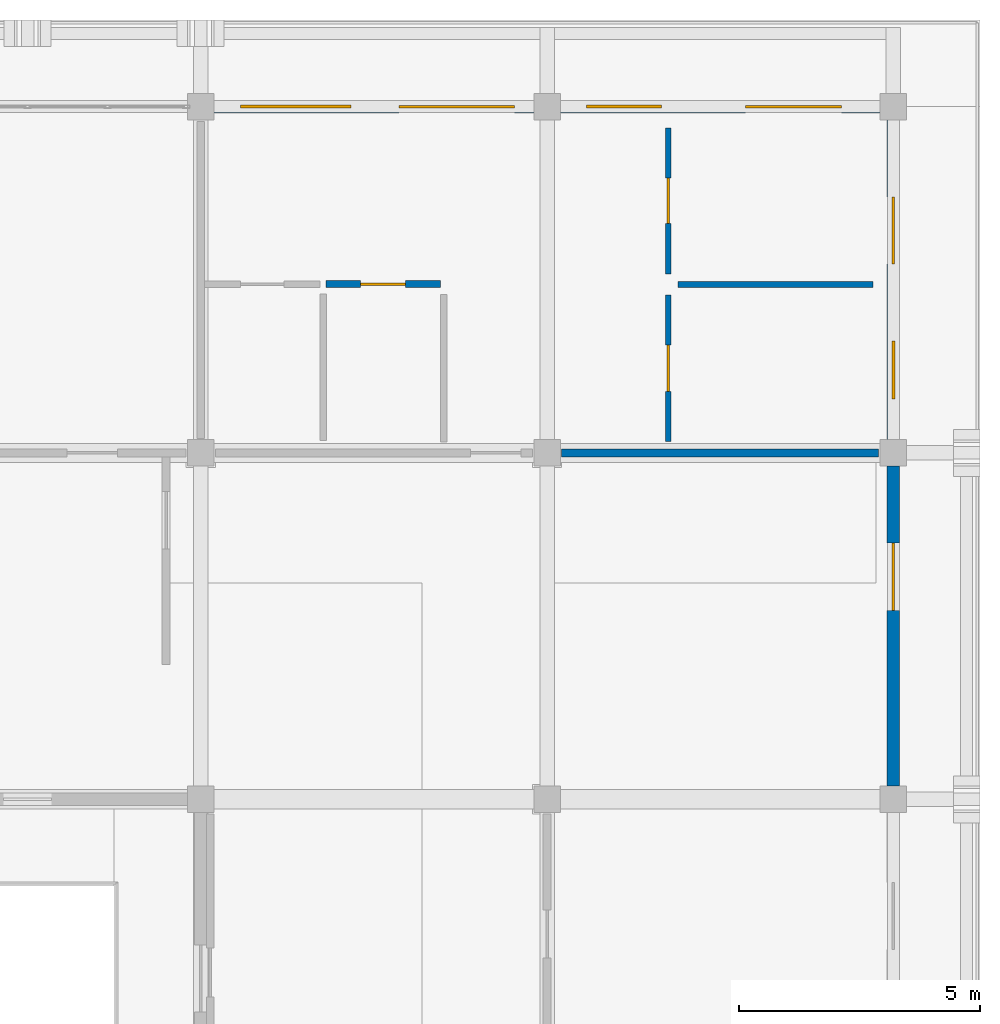
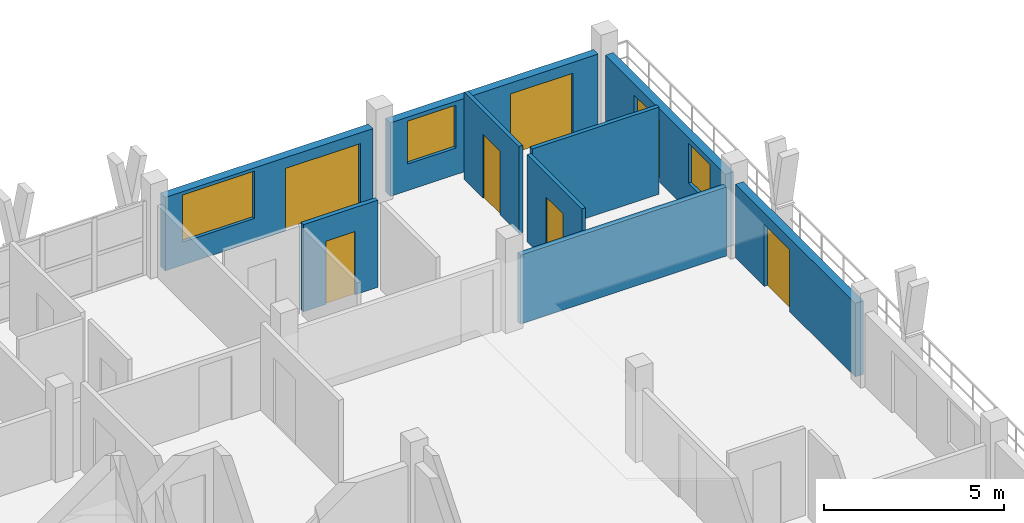
# One storey, part 52 of 65: 9 walls, 7 doors, 3 windows, 10 openings.
"""IFC4 building model written with IfcOpenShell, lengths in metres."""

from ifc_helpers import new_model, si_unit, direction, frame, frame_2d, origin, place, context, subcontext, project, spatial, rectangle, extrude, material, layer, layer_set, type_object, element, fill, save


model = new_model("IFC4")

# Units and contexts
model_context = context("Model", 3, precision=1e-05, world=origin(), true_north=direction((0.0, 1.0)))
body_context = subcontext(model_context, "Body", "Model", "MODEL_VIEW")
ifc_project = project(units=[si_unit("LENGTHUNIT", "METRE"), si_unit("AREAUNIT", "SQUARE_METRE"), si_unit("VOLUMEUNIT", "CUBIC_METRE"), si_unit("PLANEANGLEUNIT", "RADIAN"), si_unit("MASSUNIT", "GRAM", prefix="KILO")], contexts=[model_context])

# Site, building, storey
site_placement = place(None, origin())
site = spatial("IfcSite", under=ifc_project, at=site_placement, CompositionType="ELEMENT")
building_placement = place(site_placement, origin())
building = spatial("IfcBuilding", under=site, at=building_placement, Name="Suanplinth Sawtooth Commons", CompositionType="ELEMENT")
storey_placement = place(building_placement, frame((0.0, 0.0, 28.300048828125)))
storey = spatial("IfcBuildingStorey", under=building, at=storey_placement, Name="L08", CompositionType="ELEMENT", Elevation=28.300048828125)

# Wall, openings, door, window
ifc_material_1 = material(Name="Precast concrete C40/50", Category="concrete")
ifc_layer_1 = layer(ifc_material_1, 0.260009765625, Name="Insulated precast courtyard facade wall 260mm")
ifc_layer_set_1 = layer_set([ifc_layer_1], Name="Precast concrete C40/50")
wall_type_1 = type_object("IfcWallType", Name="W-EX02", PredefinedType="ELEMENTEDWALL", material=ifc_layer_set_1)
wall_1_placement = place(storey_placement, frame((173.074951171875, 122.39990234375, 0.0), z_axis=(0.0, 0.0, 1.0), x_axis=(1.0, 0.0, 0.0)))
wall_1 = element("IfcWall", 1, at=wall_1_placement, inside=storey, type_object=wall_type_1, Name="Facade Wall W-L08-B-N-24-16", PredefinedType="ELEMENTEDWALL", context=body_context, shape_type="SweptSolid", body=[
    extrude(rectangle(XDim=6.650146484375, YDim=0.260009765625, at=frame_2d((3.3251953125, 0.0))), origin(), (0.0, 0.0, 1.0), 2.48486328125),
])
opening_1_placement = place(wall_1_placement, frame((3.85009765625, 0.0, 0.0)))
opening_1 = element("IfcOpeningElement", 2, at=opening_1_placement, cuts=wall_1, Name="Opening ED0652", PredefinedType="OPENING", context=body_context, shape_type="SweptSolid", body=[
    extrude(rectangle(XDim=2.39990234375, YDim=2.1201171875, at=frame_2d((1.199951171875, 1.06005859375))), frame((0.0, 0.14501953125, 0.0), z_axis=(0.0, -1.0, 0.0), x_axis=(1.0, 0.0, 0.0)), (0.0, 0.0, 1.0), 0.289794921875),
])
opening_2_placement = place(wall_1_placement, frame((0.550048828125, 0.0, 0.77490234375)))
opening_2 = element("IfcOpeningElement", 3, at=opening_2_placement, cuts=wall_1, Name="Opening W0734", PredefinedType="OPENING", context=body_context, shape_type="SweptSolid", body=[
    extrude(rectangle(XDim=2.300048828125, YDim=1.60009765625, at=frame_2d((1.14990234375, 0.800048828125))), frame((0.0, 0.14501953125, 0.0), z_axis=(0.0, -1.0, 0.0), x_axis=(1.0, 0.0, 0.0)), (0.0, 0.0, 1.0), 0.289794921875),
])
ifc_material_2 = material(Name="Anodized aluminium and low-E glass", Category="aluminium")
door_type_1 = type_object("IfcDoorType", Name="SD-04", OperationType="DOUBLE_DOOR_SLIDING", PredefinedType="DOOR", material=ifc_material_2)
door_1_placement = place(opening_1_placement, frame((2.39990234375, 0.0, 0.0), z_axis=(0.0, 0.0, 1.0), x_axis=(-1.0, 0.0, 0.0)))
door_1 = element("IfcDoor", 4, at=door_1_placement, inside=storey, type_object=door_type_1, Name="Balcony Sliding Door L08-B-24", OperationType="DOUBLE_DOOR_SLIDING", OverallHeight=2.1201171875, OverallWidth=2.39990234375, PredefinedType="DOOR", context=body_context, shape_type="SweptSolid", body=[
    extrude(rectangle(XDim=2.39990234375, YDim=2.1201171875, at=frame_2d((1.199951171875, 1.06005859375))), frame((0.0, 0.02490234375, 0.0), z_axis=(0.0, -1.0, 0.0), x_axis=(1.0, 0.0, 0.0)), (0.0, 0.0, 1.0), 0.050048828125),
])
fill(opening_1, door_1)
ifc_material_3 = material(Name="Thermally broken aluminium and low-E double glazing", Category="aluminium")
window_type_1 = type_object("IfcWindowType", Name="WN-21", PartitioningType="TRIPLE_PANEL_VERTICAL", PredefinedType="WINDOW", material=ifc_material_3)
window_1_placement = place(opening_2_placement, origin())
window_1 = element("IfcWindow", 5, at=window_1_placement, inside=storey, type_object=window_type_1, Name="Apartment Window L08-B-24", OverallHeight=1.60009765625, OverallWidth=2.300048828125, PartitioningType="TRIPLE_PANEL_VERTICAL", PredefinedType="WINDOW", context=body_context, shape_type="SweptSolid", body=[
    extrude(rectangle(XDim=2.300048828125, YDim=1.60009765625, at=frame_2d((1.14990234375, 0.800048828125))), frame((0.0, 0.030029296875, 0.0), z_axis=(0.0, -1.0, 0.0), x_axis=(1.0, 0.0, 0.0)), (0.0, 0.0, 1.0), 0.06005859375),
])
fill(opening_2, window_1)

# Wall, opening, door
wall_2_placement = place(storey_placement, frame((187.199951171875, 108.27490234375, 0.0), z_axis=(0.0, 0.0, 1.0), x_axis=(0.0, 1.0, 0.0)))
wall_2 = element("IfcWall", 6, at=wall_2_placement, inside=storey, type_object=wall_type_1, Name="Facade Wall W-L08-B-E-25-15", PredefinedType="ELEMENTEDWALL", context=body_context, shape_type="SweptSolid", body=[
    extrude(rectangle(XDim=6.650146484375, YDim=0.260009765625, at=frame_2d((3.3251953125, 0.0))), origin(), (0.0, 0.0, 1.0), 2.48486328125),
])
opening_3_placement = place(wall_2_placement, frame((3.64990234375, 0.0, 0.0)))
opening_3 = element("IfcOpeningElement", 7, at=opening_3_placement, cuts=wall_2, Name="Opening ED0657", PredefinedType="OPENING", context=body_context, shape_type="SweptSolid", body=[
    extrude(rectangle(XDim=1.39990234375, YDim=2.10009765625, at=frame_2d((0.699951171875, 1.050048828125))), frame((0.0, 0.14501953125, 0.0), z_axis=(0.0, -1.0, 0.0), x_axis=(1.0, 0.0, 0.0)), (0.0, 0.0, 1.0), 0.289794921875),
])
door_type_2 = type_object("IfcDoorType", Name="SD-07", OperationType="SLIDING_TO_RIGHT", PredefinedType="DOOR", material=ifc_material_2)
door_2_placement = place(opening_3_placement, frame((1.39990234375, 0.0, 0.0), z_axis=(0.0, 0.0, 1.0), x_axis=(-1.0, 0.0, 0.0)))
door_2 = element("IfcDoor", 8, at=door_2_placement, inside=storey, type_object=door_type_2, Name="End Balcony Sliding Door L08-B-E-25-15", OperationType="SLIDING_TO_RIGHT", OverallHeight=2.10009765625, OverallWidth=1.39990234375, PredefinedType="DOOR", context=body_context, shape_type="SweptSolid", body=[
    extrude(rectangle(XDim=1.39990234375, YDim=2.10009765625, at=frame_2d((0.699951171875, 1.050048828125))), frame((0.0, 0.02490234375, 0.0), z_axis=(0.0, -1.0, 0.0), x_axis=(1.0, 0.0, 0.0)), (0.0, 0.0, 1.0), 0.050048828125),
])
fill(opening_3, door_2)

# Wall, openings, door, window
wall_3_placement = place(storey_placement, frame((180.27490234375, 122.39990234375, 0.0), z_axis=(0.0, 0.0, 1.0), x_axis=(1.0, 0.0, 0.0)))
wall_3 = element("IfcWall", 9, at=wall_3_placement, inside=storey, type_object=wall_type_1, Name="Facade Wall W-L08-B-N-25-16", PredefinedType="ELEMENTEDWALL", context=body_context, shape_type="SweptSolid", body=[
    extrude(rectangle(XDim=6.650146484375, YDim=0.260009765625, at=frame_2d((3.3251953125, 0.0))), origin(), (0.0, 0.0, 1.0), 2.48486328125),
])
opening_4_placement = place(wall_3_placement, frame((3.85009765625, 0.0, 0.0)))
opening_4 = element("IfcOpeningElement", 10, at=opening_4_placement, cuts=wall_3, Name="Opening ED0658", PredefinedType="OPENING", context=body_context, shape_type="SweptSolid", body=[
    extrude(rectangle(XDim=2.0, YDim=2.1201171875, at=frame_2d((1.0, 1.06005859375))), frame((0.0, 0.14501953125, 0.0), z_axis=(0.0, -1.0, 0.0), x_axis=(1.0, 0.0, 0.0)), (0.0, 0.0, 1.0), 0.289794921875),
])
opening_5_placement = place(wall_3_placement, frame((0.550048828125, 0.0, 0.89990234375)))
opening_5 = element("IfcOpeningElement", 11, at=opening_5_placement, cuts=wall_3, Name="Opening W0738", PredefinedType="OPENING", context=body_context, shape_type="SweptSolid", body=[
    extrude(rectangle(XDim=1.550048828125, YDim=1.449951171875, at=frame_2d((0.77490234375, 0.72509765625))), frame((0.0, 0.14501953125, 0.0), z_axis=(0.0, -1.0, 0.0), x_axis=(1.0, 0.0, 0.0)), (0.0, 0.0, 1.0), 0.289794921875),
])
door_type_3 = type_object("IfcDoorType", Name="SD-06", OperationType="DOUBLE_DOOR_SLIDING", PredefinedType="DOOR", material=ifc_material_2)
door_3_placement = place(opening_4_placement, frame((2.0, 0.0, 0.0), z_axis=(0.0, 0.0, 1.0), x_axis=(-1.0, 0.0, 0.0)))
door_3 = element("IfcDoor", 12, at=door_3_placement, inside=storey, type_object=door_type_3, Name="Balcony Sliding Door L08-B-25", OperationType="DOUBLE_DOOR_SLIDING", OverallHeight=2.1201171875, OverallWidth=2.0, PredefinedType="DOOR", context=body_context, shape_type="SweptSolid", body=[
    extrude(rectangle(XDim=2.0, YDim=2.1201171875, at=frame_2d((1.0, 1.06005859375))), frame((0.0, 0.02490234375, 0.0), z_axis=(0.0, -1.0, 0.0), x_axis=(1.0, 0.0, 0.0)), (0.0, 0.0, 1.0), 0.050048828125),
])
fill(opening_4, door_3)
window_type_2 = type_object("IfcWindowType", Name="WN-22", PartitioningType="DOUBLE_PANEL_VERTICAL", PredefinedType="WINDOW", material=ifc_material_3)
window_2_placement = place(opening_5_placement, origin())
window_2 = element("IfcWindow", 13, at=window_2_placement, inside=storey, type_object=window_type_2, Name="Apartment Window L08-B-25", OverallHeight=1.449951171875, OverallWidth=1.550048828125, PartitioningType="DOUBLE_PANEL_VERTICAL", PredefinedType="WINDOW", context=body_context, shape_type="SweptSolid", body=[
    extrude(rectangle(XDim=1.550048828125, YDim=1.449951171875, at=frame_2d((0.77490234375, 0.72509765625))), frame((0.0, 0.030029296875, 0.0), z_axis=(0.0, -1.0, 0.0), x_axis=(1.0, 0.0, 0.0)), (0.0, 0.0, 1.0), 0.06005859375),
])
fill(opening_5, window_2)

wall_4_placement = place(storey_placement, frame((187.199951171875, 115.47509765625, 0.0), z_axis=(0.0, 0.0, 1.0), x_axis=(0.0, 1.0, 0.0)))
wall_4 = element("IfcWall", 14, at=wall_4_placement, inside=storey, type_object=wall_type_1, Name="Facade Wall W-L08-B-E-25-16", PredefinedType="ELEMENTEDWALL", context=body_context, shape_type="SweptSolid", body=[
    extrude(rectangle(XDim=6.64990234375, YDim=0.260009765625, at=frame_2d((3.324951171875, 0.0))), origin(), (0.0, 0.0, 1.0), 2.48486328125),
])
opening_6_placement = place(wall_4_placement, frame((3.64990234375, 0.0, 0.0)))
opening_6 = element("IfcOpeningElement", 15, at=opening_6_placement, cuts=wall_4, Name="Opening ED0659", PredefinedType="OPENING", context=body_context, shape_type="SweptSolid", body=[
    extrude(rectangle(XDim=1.39990234375, YDim=2.10009765625, at=frame_2d((0.699951171875, 1.050048828125))), frame((0.0, 0.14501953125, 0.0), z_axis=(0.0, -1.0, 0.0), x_axis=(1.0, 0.0, 0.0)), (0.0, 0.0, 1.0), 0.289794921875),
])
opening_7_placement = place(wall_4_placement, frame((0.85009765625, 0.0, 0.949951171875)))
opening_7 = element("IfcOpeningElement", 16, at=opening_7_placement, cuts=wall_4, Name="Opening W0739", PredefinedType="OPENING", context=body_context, shape_type="SweptSolid", body=[
    extrude(rectangle(XDim=1.199951171875, YDim=1.35009765625, at=frame_2d((0.60009765625, 0.675048828125))), frame((0.0, 0.14501953125, 0.0), z_axis=(0.0, -1.0, 0.0), x_axis=(1.0, 0.0, 0.0)), (0.0, 0.0, 1.0), 0.289794921875),
])
door_4_placement = place(opening_6_placement, frame((1.39990234375, 0.0, 0.0), z_axis=(0.0, 0.0, 1.0), x_axis=(-1.0, 0.0, 0.0)))
door_4 = element("IfcDoor", 17, at=door_4_placement, inside=storey, type_object=door_type_2, Name="End Balcony Sliding Door L08-B-E-25-16", OperationType="SLIDING_TO_RIGHT", OverallHeight=2.10009765625, OverallWidth=1.39990234375, PredefinedType="DOOR", context=body_context, shape_type="SweptSolid", body=[
    extrude(rectangle(XDim=1.39990234375, YDim=2.10009765625, at=frame_2d((0.699951171875, 1.050048828125))), frame((0.0, 0.02490234375, 0.0), z_axis=(0.0, -1.0, 0.0), x_axis=(1.0, 0.0, 0.0)), (0.0, 0.0, 1.0), 0.050048828125),
])
fill(opening_6, door_4)
window_type_3 = type_object("IfcWindowType", Name="WN-03", PartitioningType="SINGLE_PANEL", PredefinedType="WINDOW", material=ifc_material_3)
window_3_placement = place(opening_7_placement, origin())
window_3 = element("IfcWindow", 18, at=window_3_placement, inside=storey, type_object=window_type_3, Name="End Bedroom Window L08-B-25-16", OverallHeight=1.35009765625, OverallWidth=1.199951171875, PartitioningType="SINGLE_PANEL", PredefinedType="WINDOW", context=body_context, shape_type="SweptSolid", body=[
    extrude(rectangle(XDim=1.199951171875, YDim=1.35009765625, at=frame_2d((0.60009765625, 0.675048828125))), frame((0.0, 0.030029296875, 0.0), z_axis=(0.0, -1.0, 0.0), x_axis=(1.0, 0.0, 0.0)), (0.0, 0.0, 1.0), 0.06005859375),
])
fill(opening_7, window_3)

# Wall
ifc_layer_2 = layer(ifc_material_1, 0.159912109375, Name="Fire-rated corridor and lobby wall 160mm")
ifc_layer_set_2 = layer_set([ifc_layer_2], Name="Precast concrete C40/50")
wall_type_2 = type_object("IfcWallType", Name="W-FW01", PredefinedType="PARTITIONING", material=ifc_layer_set_2)
wall_5_placement = place(storey_placement, frame((180.304931640625, 115.199951171875, 0.0), z_axis=(0.0, 0.0, 1.0), x_axis=(1.0, 0.0, 0.0)))
element("IfcWall", 19, at=wall_5_placement, inside=storey, type_object=wall_type_2, Name="W-B-L08-U05-COR-S2", PredefinedType="PARTITIONING", context=body_context, shape_type="SweptSolid", body=[
    extrude(rectangle(XDim=6.590087890625, YDim=0.159912109375, at=frame_2d((3.294921875, 0.0))), origin(), (0.0, 0.0, 1.0), 2.3349609375),
])

# Wall, opening, door
ifc_material_4 = material(Name="Gypsum plasterboard on steel stud", Category="steel")
ifc_layer_3 = layer(ifc_material_4, 0.139892578125, Name="Fire-rated kitchen partition 140mm")
ifc_layer_set_3 = layer_set([ifc_layer_3], Name="Gypsum plasterboard on steel stud")
wall_type_3 = type_object("IfcWallType", Name="W-PT01", PredefinedType="PARTITIONING", material=ifc_layer_set_3)
wall_6_placement = place(storey_placement, frame((175.39990234375, 118.7099609375, 0.0), z_axis=(0.0, 0.0, 1.0), x_axis=(1.0, 0.0, 0.0)))
wall_6 = element("IfcWall", 20, at=wall_6_placement, inside=storey, type_object=wall_type_3, Name="W-B-L08-U05-KIT1", PredefinedType="PARTITIONING", context=body_context, shape_type="SweptSolid", body=[
    extrude(rectangle(XDim=2.380126953125, YDim=0.139892578125, at=frame_2d((1.18994140625, 0.0))), origin(), (0.0, 0.0, 1.0), 2.949951171875),
])
opening_8_placement = place(wall_6_placement, frame((0.72509765625, 0.0, 0.0)))
opening_8 = element("IfcOpeningElement", 21, at=opening_8_placement, cuts=wall_6, Name="Opening D1687", PredefinedType="OPENING", context=body_context, shape_type="SweptSolid", body=[
    extrude(rectangle(XDim=0.929931640625, YDim=2.139892578125, at=frame_2d((0.46484375, 1.06982421875))), frame((0.0, 0.0849609375, 0.0), z_axis=(0.0, -1.0, 0.0), x_axis=(1.0, 0.0, 0.0)), (0.0, 0.0, 1.0), 0.169677734375),
])
ifc_material_5 = material(Name="Teak hardwood", Category="wood")
door_type_4 = type_object("IfcDoorType", Name="D-19", OperationType="NOTDEFINED", PredefinedType="DOOR", material=ifc_material_5)
door_5_placement = place(opening_8_placement, frame((0.929931640625, 0.0, 0.0), z_axis=(0.0, 0.0, 1.0), x_axis=(-1.0, 0.0, 0.0)))
door_5 = element("IfcDoor", 22, at=door_5_placement, inside=storey, type_object=door_type_4, Name="Kitchen Door D1687", OperationType="SINGLE_SWING_LEFT", OverallHeight=2.139892578125, OverallWidth=0.929931640625, PredefinedType="DOOR", context=body_context, shape_type="SweptSolid", body=[
    extrude(rectangle(XDim=0.929931640625, YDim=2.139892578125, at=frame_2d((0.46484375, 1.06982421875))), frame((0.0, 0.02490234375, 0.0), z_axis=(0.0, -1.0, 0.0), x_axis=(1.0, 0.0, 0.0)), (0.0, 0.0, 1.0), 0.050048828125),
])
fill(opening_8, door_5)

ifc_layer_4 = layer(ifc_material_4, 0.1201171875, Name="Acoustic bedroom partition 120mm")
ifc_layer_set_4 = layer_set([ifc_layer_4], Name="Gypsum plasterboard on steel stud")
wall_type_4 = type_object("IfcWallType", Name="W-PT03", PredefinedType="PARTITIONING", material=ifc_layer_set_4)
wall_7_placement = place(storey_placement, frame((182.52001953125, 118.919921875, 0.0), z_axis=(0.0, 0.0, 1.0), x_axis=(0.0, 1.0, 0.0)))
wall_7 = element("IfcWall", 23, at=wall_7_placement, inside=storey, type_object=wall_type_4, Name="W-B-L08-U05-BED1", PredefinedType="PARTITIONING", context=body_context, shape_type="SweptSolid", body=[
    extrude(rectangle(XDim=3.0400390625, YDim=0.1201171875, at=frame_2d((1.52001953125, 0.0))), origin(), (0.0, 0.0, 1.0), 2.949951171875),
])
opening_9_placement = place(wall_7_placement, frame((1.044921875, 0.0, 0.0)))
opening_9 = element("IfcOpeningElement", 24, at=opening_9_placement, cuts=wall_7, Name="Opening D1688", PredefinedType="OPENING", context=body_context, shape_type="SweptSolid", body=[
    extrude(rectangle(XDim=0.949951171875, YDim=2.14990234375, at=frame_2d((0.47509765625, 1.074951171875))), frame((0.0, 0.074951171875, 0.0), z_axis=(0.0, -1.0, 0.0), x_axis=(1.0, 0.0, 0.0)), (0.0, 0.0, 1.0), 0.14990234375),
])
door_type_5 = type_object("IfcDoorType", Name="D-03", OperationType="NOTDEFINED", PredefinedType="DOOR", material=ifc_material_5)
door_6_placement = place(opening_9_placement, frame((0.949951171875, 0.0, 0.0), z_axis=(0.0, 0.0, 1.0), x_axis=(-1.0, 0.0, 0.0)))
door_6 = element("IfcDoor", 25, at=door_6_placement, inside=storey, type_object=door_type_5, Name="Bedroom Door D1688", OperationType="SINGLE_SWING_RIGHT", OverallHeight=2.14990234375, OverallWidth=0.949951171875, PredefinedType="DOOR", context=body_context, shape_type="SweptSolid", body=[
    extrude(rectangle(XDim=0.949951171875, YDim=2.14990234375, at=frame_2d((0.47509765625, 1.074951171875))), frame((0.0, 0.02490234375, 0.0), z_axis=(0.0, -1.0, 0.0), x_axis=(1.0, 0.0, 0.0)), (0.0, 0.0, 1.0), 0.050048828125),
])
fill(opening_9, door_6)

wall_8_placement = place(storey_placement, frame((182.52001953125, 115.43994140625, 0.0), z_axis=(0.0, 0.0, 1.0), x_axis=(0.0, 1.0, 0.0)))
wall_8 = element("IfcWall", 26, at=wall_8_placement, inside=storey, type_object=wall_type_4, Name="W-B-L08-U05-BED2", PredefinedType="PARTITIONING", context=body_context, shape_type="SweptSolid", body=[
    extrude(rectangle(XDim=3.0400390625, YDim=0.1201171875, at=frame_2d((1.52001953125, 0.0))), origin(), (0.0, 0.0, 1.0), 2.949951171875),
])
opening_10_placement = place(wall_8_placement, frame((1.0400390625, 0.0, 0.0)))
opening_10 = element("IfcOpeningElement", 27, at=opening_10_placement, cuts=wall_8, Name="Opening D1689", PredefinedType="OPENING", context=body_context, shape_type="SweptSolid", body=[
    extrude(rectangle(XDim=0.9599609375, YDim=2.14990234375, at=frame_2d((0.47998046875, 1.074951171875))), frame((0.0, 0.074951171875, 0.0), z_axis=(0.0, -1.0, 0.0), x_axis=(1.0, 0.0, 0.0)), (0.0, 0.0, 1.0), 0.14990234375),
])
door_type_6 = type_object("IfcDoorType", Name="D-13", OperationType="NOTDEFINED", PredefinedType="DOOR", material=ifc_material_5)
door_7_placement = place(opening_10_placement, frame((0.9599609375, 0.0, 0.0), z_axis=(0.0, 0.0, 1.0), x_axis=(-1.0, 0.0, 0.0)))
door_7 = element("IfcDoor", 28, at=door_7_placement, inside=storey, type_object=door_type_6, Name="Second Bedroom Door D1689", OperationType="SINGLE_SWING_LEFT", OverallHeight=2.14990234375, OverallWidth=0.9599609375, PredefinedType="DOOR", context=body_context, shape_type="SweptSolid", body=[
    extrude(rectangle(XDim=0.9599609375, YDim=2.14990234375, at=frame_2d((0.47998046875, 1.074951171875))), frame((0.0, 0.02490234375, 0.0), z_axis=(0.0, -1.0, 0.0), x_axis=(1.0, 0.0, 0.0)), (0.0, 0.0, 1.0), 0.050048828125),
])
fill(opening_10, door_7)

# Wall
ifc_layer_5 = layer(ifc_material_4, 0.125, Name="Acoustic study partition 125mm")
ifc_layer_set_5 = layer_set([ifc_layer_5], Name="Gypsum plasterboard on steel stud")
wall_type_5 = type_object("IfcWallType", Name="W-PT06", PredefinedType="PARTITIONING", material=ifc_layer_set_5)
wall_9_placement = place(storey_placement, frame((182.719970703125, 118.699951171875, 0.0), z_axis=(0.0, 0.0, 1.0), x_axis=(1.0, 0.0, 0.0)))
element("IfcWall", 29, at=wall_9_placement, inside=storey, type_object=wall_type_5, Name="W-B-L08-U05-BEDDIV", PredefinedType="PARTITIONING", context=body_context, shape_type="SweptSolid", body=[
    extrude(rectangle(XDim=4.06005859375, YDim=0.125, at=frame_2d((2.030029296875, 0.0))), origin(), (0.0, 0.0, 1.0), 2.949951171875),
])

save(model, "model.ifc")
